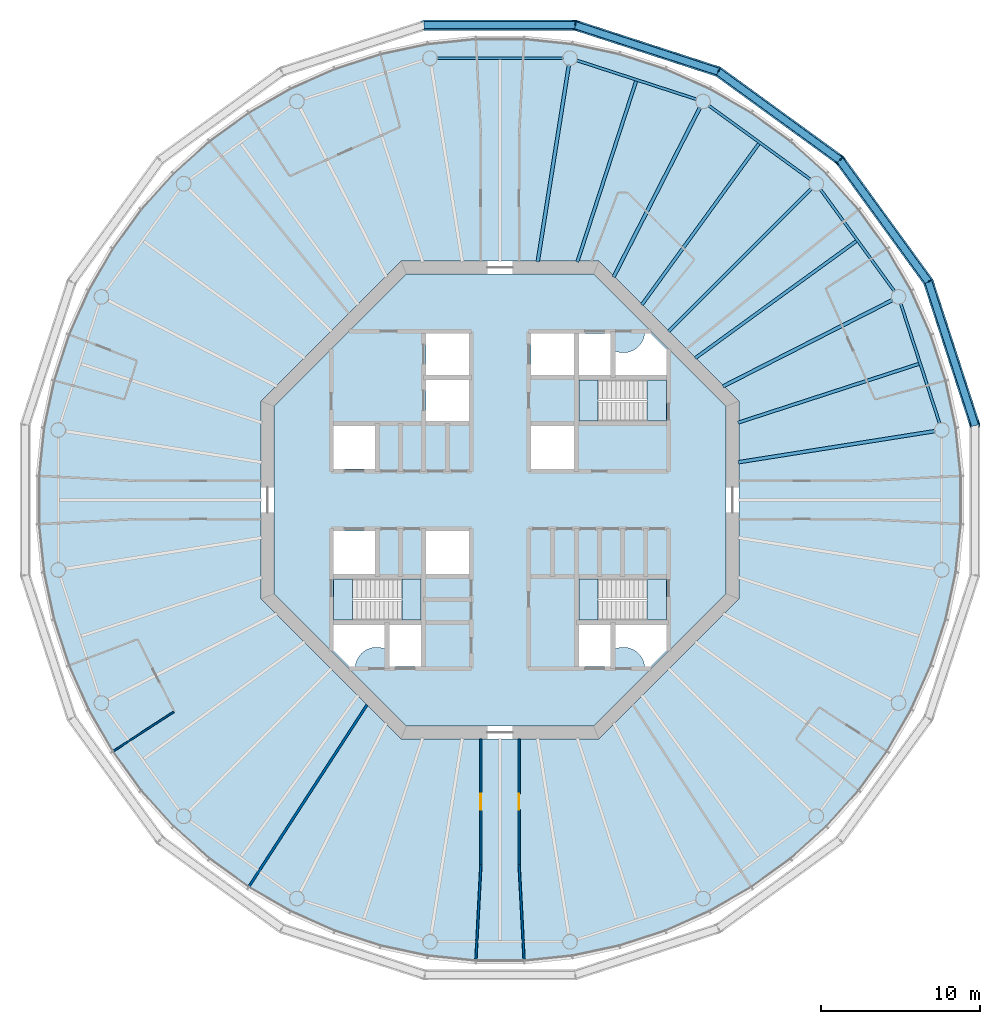
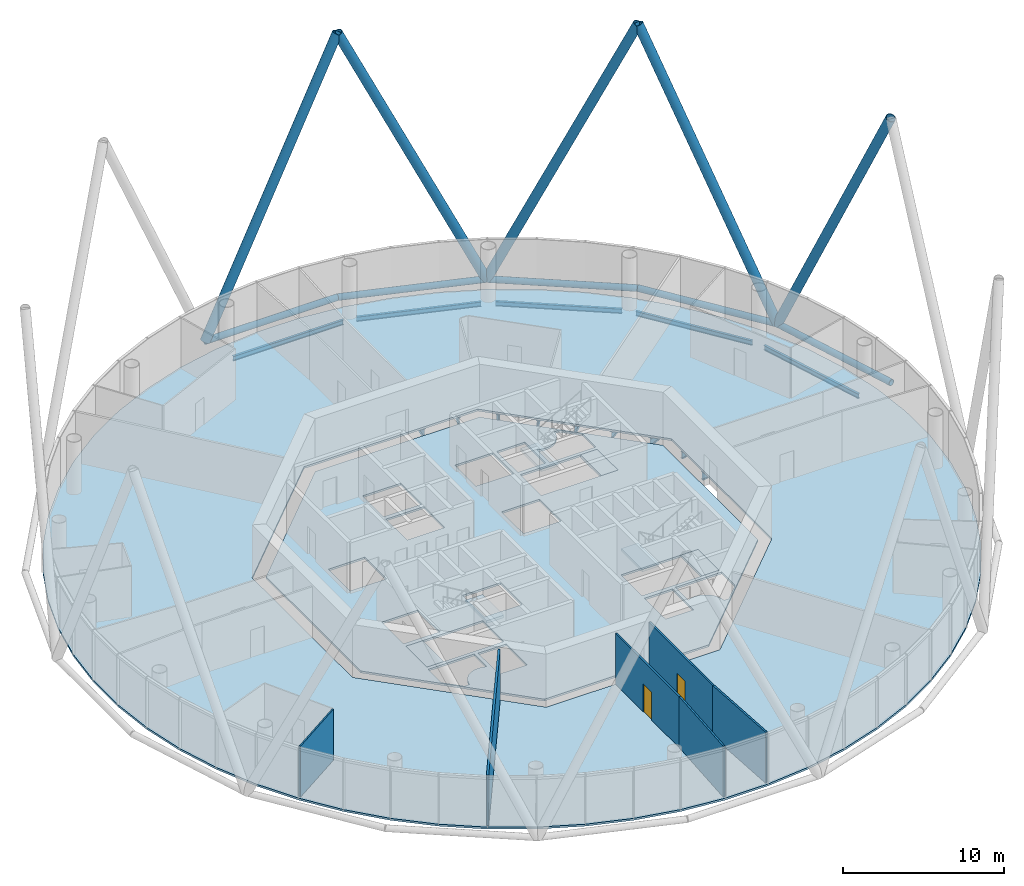
# One storey, part 2 of 13: 14 beams, 10 members, 8 slabs, 6 walls, 2 doors, 2 openings, 3 elements without a shape of their own.
"""IFC4 building model written with IfcOpenShell, lengths in metres."""

from ifc_helpers import new_model, si_unit, direction, frame, frame_2d, origin, origin_2d, place, context, subcontext, project, spatial, polyline, rectangle, circle, hollow_circle, i_section, outline, extrude, material, layer, layer_set, material_profile, profile_set, type_object, element, fill, aggregate, save


model = new_model("IFC4")

# Units and contexts
model_context = context("Model", 3, precision=1e-05, world=origin(), true_north=direction((0.0, 1.0)))
body_context = subcontext(model_context, "Body", "Model", "MODEL_VIEW")
ifc_project = project(units=[si_unit("LENGTHUNIT", "METRE"), si_unit("AREAUNIT", "SQUARE_METRE"), si_unit("VOLUMEUNIT", "CUBIC_METRE"), si_unit("PLANEANGLEUNIT", "RADIAN"), si_unit("MASSUNIT", "GRAM", prefix="KILO")], contexts=[model_context])

# Site, building, storey
site_placement = place(None, origin())
site = spatial("IfcSite", under=ifc_project, at=site_placement, CompositionType="ELEMENT")
building_placement = place(site_placement, origin())
building = spatial("IfcBuilding", under=site, at=building_placement, Name="Entoto Ring Tower", CompositionType="ELEMENT")
storey_placement = place(building_placement, frame((0.0, 0.0, 310.0)))
storey = spatial("IfcBuildingStorey", under=building, at=storey_placement, Name="L71", CompositionType="ELEMENT", Elevation=310.0)

# Members
ifc_material_1 = material(Name="Steel S355", Category="steel")
ifc_material_profile_1 = material_profile(ifc_material_1, hollow_circle(Radius=0.324951171875, WallThickness=0.031982421875, at=origin_2d()), Name="CHS 650 x 32")
ifc_material_2 = material(Name="Concrete C60/75", Category="concrete")
ifc_material_profile_2 = material_profile(ifc_material_2, circle(Radius=0.29296875, at=origin_2d()), Name="Concrete C60/75 infill")
ifc_profile_set_1 = profile_set([ifc_material_profile_1, ifc_material_profile_2], Name="Steel S355")
member_type_1 = type_object("IfcMemberType", Name="Diagrid diagonal 650 x 32 concrete-filled tube", PredefinedType="BRACE", material=ifc_profile_set_1)
for number, where, z_axis, x_axis, name in (
    (1, (116.908447265625, 93.71044921875, 0.0), (0.131995385813, -0.406250870943, 0.904177774545), (0.951058940693, 0.309009532745, 0.0), "DG6 module 24 01"),
    (2, (116.908447265625, 93.71044921875, 0.0), (-0.2510759177, 0.345588098254, 0.904173517582), (-0.809026493198, -0.587772178061, 0.0), "DG6 module 24 02"),
    (3, (103.71044921875, 106.908447265625, 0.0), (0.345588098254, -0.2510759177, 0.904173517582), (0.587772178061, 0.809026493198, 0.0), "DG6 module 24 03"),
    (4, (103.71044921875, 106.908447265625, 0.0), (-0.406250870943, 0.131995385813, 0.904177774545), (-0.309009532745, -0.951058940693, 0.0), "DG6 module 24 04"),
    (5, (85.275634765625, 109.828125, 0.0), (0.427164734279, 0.0, 0.904173816137), (0.0, 1.0, 0.0), "DG6 module 24 05"),
):
    element("IfcMember", number, at=place(storey_placement, frame(where, z_axis=z_axis, x_axis=x_axis)), inside=storey, type_object=member_type_1, Name=name, PredefinedType="BRACE", context=body_context, shape_type="SweptSolid", body=[
        extrude(hollow_circle(Radius=0.324951171875, WallThickness=0.031982421875, at=origin_2d()), origin(), (0.0, 0.0, 1.0), 22.11962890625),
    ])
ifc_material_3 = material(Name="Steel S355", Category="steel")
ifc_material_profile_3 = material_profile(ifc_material_3, hollow_circle(Radius=0.228515625, WallThickness=0.02001953125, at=origin_2d()), Name="CHS 457 x 20")
ifc_material_4 = material(Name="Concrete C60/75", Category="concrete")
ifc_material_profile_4 = material_profile(ifc_material_4, circle(Radius=0.20849609375, at=origin_2d()), Name="Concrete C60/75 infill")
ifc_profile_set_2 = profile_set([ifc_material_profile_3, ifc_material_profile_4], Name="Steel S355")
member_type_2 = type_object("IfcMemberType", Name="Diagrid ring beam 457 x 20", PredefinedType="CHORD", material=ifc_profile_set_2)
for number, where, z_axis, x_axis, name in (
    (6, (116.94140625, 93.6650390625, 0.0), (-0.587784468219, 0.809017564037, 0.0), (-0.809017564037, -0.587784468219, 0.0), "DR3 ring 23 01"),
    (7, (111.400146484375, 101.321533203125, 0.0), (-0.809017564037, 0.587784468219, 0.0), (-0.587784468219, -0.809017564037, 0.0), "DR3 ring 23 02"),
    (8, (103.763916015625, 106.89111328125, 0.0), (-0.951061274764, 0.309002348931, 0.0), (-0.309002348931, -0.951061274764, 0.0), "DR3 ring 23 03"),
    (9, (94.780517578125, 109.828125, 0.0), (-1.0, 0.0, 0.0), (0.0, -1.0, 0.0), "DR3 ring 23 04"),
    (10, (119.845458984375, 84.6708984375, 0.0), (-0.309002348931, 0.951061274764, 0.0), (-0.951061274764, -0.309002348931, 0.0), "DR3 ring 23 20"),
):
    element("IfcMember", number, at=place(storey_placement, frame(where, z_axis=z_axis, x_axis=x_axis)), inside=storey, type_object=member_type_2, Name=name, PredefinedType="CHORD", context=body_context, shape_type="SweptSolid", body=[
        extrude(hollow_circle(Radius=0.228515625, WallThickness=0.02001953125, at=origin_2d()), origin(), (0.0, 0.0, 1.0), 9.56103515625),
    ])

# Beams
ifc_material_5 = material(Name="Steel S355", Category="steel")
ifc_material_profile_5 = material_profile(ifc_material_5, i_section(OverallWidth=0.169921875, OverallDepth=0.360107421875, WebThickness=0.008056640625, FlangeThickness=0.0126953125, FilletRadius=0.01806640625, at=origin_2d()), Name="IPE 360")
ifc_profile_set_3 = profile_set([ifc_material_profile_5], Name="Steel S355")
beam_type_1 = type_object("IfcBeamType", Name="Edge beam IPE 360", PredefinedType="SPANDREL", material=ifc_profile_set_3)
beam_1_placement = place(storey_placement, frame((117.61572265625, 84.8212890625, -0.330078125), z_axis=(-0.309002883506, 0.951061101079, 0.0), x_axis=(-0.951061101079, -0.309002883506, 0.0)))
element("IfcBeam", 11, at=beam_1_placement, inside=storey, type_object=beam_type_1, Name="Edge beam L71 01", PredefinedType="SPANDREL", context=body_context, shape_type="SweptSolid", body=[
    extrude(i_section(OverallWidth=0.169921875, OverallDepth=0.360107421875, WebThickness=0.008056640625, FlangeThickness=0.0126953125, FilletRadius=0.01806640625, at=origin_2d()), origin(), (0.0, 0.0, 1.0), 7.89697265625),
])
for number, where, z_axis, x_axis, name in (
    (12, (114.7744140625, 93.118896484375, -0.330078125), (-0.587787449408, 0.809015398073, 0.0), (-0.809015398073, -0.587787449408, 0.0), "Edge beam L71 02"),
    (13, (109.5078125, 100.132568359375, -0.330078125), (-0.809015398073, 0.587787449408, 0.0), (-0.587787449408, -0.809015398073, 0.0), "Edge beam L71 03"),
):
    element("IfcBeam", number, at=place(storey_placement, frame(where, z_axis=z_axis, x_axis=x_axis)), inside=storey, type_object=beam_type_1, Name=name, PredefinedType="SPANDREL", context=body_context, shape_type="SweptSolid", body=[
        extrude(i_section(OverallWidth=0.169921875, OverallDepth=0.360107421875, WebThickness=0.008056640625, FlangeThickness=0.0126953125, FilletRadius=0.01806640625, at=origin_2d()), origin(), (0.0, 0.0, 1.0), 7.897216796875),
    ])
for number, where, z_axis, x_axis, name in (
    (14, (102.331787109375, 105.175537109375, -0.330078125), (-0.951061101079, 0.309002883506, 0.0), (-0.309002883506, -0.951061101079, 0.0), "Edge beam L71 04"),
    (15, (93.948486328125, 107.754150390625, -0.330078125), (-1.0, 0.0, 0.0), (0.0, -1.0, 0.0), "Edge beam L71 05"),
):
    element("IfcBeam", number, at=place(storey_placement, frame(where, z_axis=z_axis, x_axis=x_axis)), inside=storey, type_object=beam_type_1, Name=name, PredefinedType="SPANDREL", context=body_context, shape_type="SweptSolid", body=[
        extrude(i_section(OverallWidth=0.169921875, OverallDepth=0.360107421875, WebThickness=0.008056640625, FlangeThickness=0.0126953125, FilletRadius=0.01806640625, at=origin_2d()), origin(), (0.0, 0.0, 1.0), 7.89697265625),
    ])
ifc_material_6 = material(Name="Steel S355", Category="steel")
ifc_material_profile_6 = material_profile(ifc_material_6, i_section(OverallWidth=0.219970703125, OverallDepth=0.60009765625, WebThickness=0.011962890625, FlangeThickness=0.01904296875, FilletRadius=0.02392578125, at=origin_2d()), Name="IPE 600")
ifc_profile_set_4 = profile_set([ifc_material_profile_6], Name="Steel S355")
beam_type_2 = type_object("IfcBeamType", Name="Primary floor beam IPE 600", PredefinedType="BEAM", material=ifc_profile_set_4)
beam_2_placement = place(storey_placement, frame((104.963134765625, 82.369873046875, -0.449951171875), z_axis=(0.987687519796, 0.156439647277, 0.0), x_axis=(-0.156439647277, 0.987687519796, 0.0)))
element("IfcBeam", 16, at=beam_2_placement, inside=storey, type_object=beam_type_2, Name="Primary L71 R01", PredefinedType="BEAM", context=body_context, shape_type="SweptSolid", body=[
    extrude(i_section(OverallWidth=0.219970703125, OverallDepth=0.60009765625, WebThickness=0.011962890625, FlangeThickness=0.01904296875, FilletRadius=0.02392578125, at=origin_2d()), origin(), (0.0, 0.0, 1.0), 12.50830078125),
])
beam_3_placement = place(storey_placement, frame((104.003173828125, 87.135009765625, -0.449951171875), z_axis=(0.891007666593, 0.453988257638, 0.0), x_axis=(-0.453988257638, 0.891007666593, 0.0)))
element("IfcBeam", 17, at=beam_3_placement, inside=storey, type_object=beam_type_2, Name="Primary L71 R02", PredefinedType="BEAM", context=body_context, shape_type="SweptSolid", body=[
    extrude(i_section(OverallWidth=0.219970703125, OverallDepth=0.60009765625, WebThickness=0.011962890625, FlangeThickness=0.01904296875, FilletRadius=0.02392578125, at=origin_2d()), origin(), (0.0, 0.0, 1.0), 11.941650390625),
])
beam_4_placement = place(storey_placement, frame((100.592529296875, 90.592529296875, -0.449951171875), z_axis=(0.707106781187, 0.707106781187, 0.0), x_axis=(-0.707106781187, 0.707106781187, 0.0)))
element("IfcBeam", 18, at=beam_4_placement, inside=storey, type_object=beam_type_2, Name="Primary L71 R03", PredefinedType="BEAM", context=body_context, shape_type="SweptSolid", body=[
    extrude(i_section(OverallWidth=0.219970703125, OverallDepth=0.60009765625, WebThickness=0.011962890625, FlangeThickness=0.01904296875, FilletRadius=0.02392578125, at=origin_2d()), origin(), (0.0, 0.0, 1.0), 12.677978515625),
])
beam_5_placement = place(storey_placement, frame((97.135009765625, 94.003173828125, -0.449951171875), z_axis=(0.453988257638, 0.891007666593, 0.0), x_axis=(-0.891007666593, 0.453988257638, 0.0)))
element("IfcBeam", 19, at=beam_5_placement, inside=storey, type_object=beam_type_2, Name="Primary L71 R04", PredefinedType="BEAM", context=body_context, shape_type="SweptSolid", body=[
    extrude(i_section(OverallWidth=0.219970703125, OverallDepth=0.60009765625, WebThickness=0.011962890625, FlangeThickness=0.01904296875, FilletRadius=0.02392578125, at=origin_2d()), origin(), (0.0, 0.0, 1.0), 11.941650390625),
])
beam_6_placement = place(storey_placement, frame((92.369873046875, 94.963134765625, -0.449951171875), z_axis=(0.156439647277, 0.987687519796, 0.0), x_axis=(-0.987687519796, 0.156439647277, 0.0)))
element("IfcBeam", 20, at=beam_6_placement, inside=storey, type_object=beam_type_2, Name="Primary L71 R05", PredefinedType="BEAM", context=body_context, shape_type="SweptSolid", body=[
    extrude(i_section(OverallWidth=0.219970703125, OverallDepth=0.60009765625, WebThickness=0.011962890625, FlangeThickness=0.01904296875, FilletRadius=0.02392578125, at=origin_2d()), origin(), (0.0, 0.0, 1.0), 12.50830078125),
])
ifc_material_7 = material(Name="Steel S355", Category="steel")
ifc_material_profile_7 = material_profile(ifc_material_7, i_section(OverallWidth=0.199951171875, OverallDepth=0.5, WebThickness=0.01025390625, FlangeThickness=0.01611328125, FilletRadius=0.02099609375, at=origin_2d()), Name="IPE 500")
ifc_profile_set_5 = profile_set([ifc_material_profile_7], Name="Steel S355")
beam_type_3 = type_object("IfcBeamType", Name="Secondary floor beam IPE 500", PredefinedType="JOIST", material=ifc_profile_set_5)
beam_7_placement = place(storey_placement, frame((104.9501953125, 84.857666015625, -0.39990234375), z_axis=(0.951056587506, 0.30901677521, 0.0), x_axis=(-0.30901677521, 0.951056587506, 0.0)))
element("IfcBeam", 21, at=beam_7_placement, inside=storey, type_object=beam_type_3, Name="Secondary beam L71 01", PredefinedType="JOIST", context=body_context, shape_type="SweptSolid", body=[
    extrude(i_section(OverallWidth=0.199951171875, OverallDepth=0.5, WebThickness=0.01025390625, FlangeThickness=0.01611328125, FilletRadius=0.02099609375, at=origin_2d()), origin(), (0.0, 0.0, 1.0), 11.94970703125),
])
for number, where, z_axis, x_axis, name in (
    (22, (102.257568359375, 88.905517578125, -0.39990234375), (0.80901431041, 0.587788946436, 0.0), (-0.587788946436, 0.80901431041, 0.0), "Secondary beam L71 02"),
    (23, (98.905517578125, 92.257568359375, -0.39990234375), (0.587788946436, 0.80901431041, 0.0), (-0.80901431041, 0.587788946436, 0.0), "Secondary beam L71 03"),
):
    element("IfcBeam", number, at=place(storey_placement, frame(where, z_axis=z_axis, x_axis=x_axis)), inside=storey, type_object=beam_type_3, Name=name, PredefinedType="JOIST", context=body_context, shape_type="SweptSolid", body=[
        extrude(i_section(OverallWidth=0.199951171875, OverallDepth=0.5, WebThickness=0.01025390625, FlangeThickness=0.01611328125, FilletRadius=0.02099609375, at=origin_2d()), origin(), (0.0, 0.0, 1.0), 12.51806640625),
    ])
beam_8_placement = place(storey_placement, frame((94.857666015625, 94.9501953125, -0.39990234375), z_axis=(0.30901677521, 0.951056587506, 0.0), x_axis=(-0.951056587506, 0.30901677521, 0.0)))
element("IfcBeam", 24, at=beam_8_placement, inside=storey, type_object=beam_type_3, Name="Secondary beam L71 04", PredefinedType="JOIST", context=body_context, shape_type="SweptSolid", body=[
    extrude(i_section(OverallWidth=0.199951171875, OverallDepth=0.5, WebThickness=0.01025390625, FlangeThickness=0.01611328125, FilletRadius=0.02099609375, at=origin_2d()), origin(), (0.0, 0.0, 1.0), 11.94970703125),
])

# Slabs
ifc_material_8 = material(Name="Concrete C30/37", Category="concrete")
ifc_layer_1 = layer(ifc_material_8, 0.14990234375)
ifc_layer_set_1 = layer_set([ifc_layer_1], Name="Concrete C30/37")
slab_type_1 = type_object("IfcSlabType", Name="Composite floor slab 150 mm", PredefinedType="FLOOR", material=ifc_layer_set_1)
slab_1_placement = place(storey_placement, frame((0.0, 0.0, -0.14990234375)))
element("IfcSlab", 25, at=slab_1_placement, inside=storey, type_object=slab_type_1, Name="Floor slab L71", PredefinedType="FLOOR", context=body_context, shape_type="SweptSolid", body=[
    extrude(outline(polyline([(118.74169921875, 84.55224609375), (118.1083984375, 87.53173828125), (117.167236328125, 90.428466796875), (115.92822265625, 93.211181640625), (114.4052734375, 95.848876953125), (112.614990234375, 98.313232421875), (110.576904296875, 100.576904296875), (108.313232421875, 102.614990234375), (105.848876953125, 104.4052734375), (103.211181640625, 105.92822265625), (100.428466796875, 107.167236328125), (97.53173828125, 108.1083984375), (94.55224609375, 108.74169921875), (91.52294921875, 109.06005859375), (88.47705078125, 109.06005859375), (85.44775390625, 108.74169921875), (82.46826171875, 108.1083984375), (79.571533203125, 107.167236328125), (76.788818359375, 105.92822265625), (74.151123046875, 104.4052734375), (71.686767578125, 102.614990234375), (69.423095703125, 100.576904296875), (67.385009765625, 98.313232421875), (65.5947265625, 95.848876953125), (64.07177734375, 93.211181640625), (62.832763671875, 90.428466796875), (61.8916015625, 87.53173828125), (61.25830078125, 84.55224609375), (60.93994140625, 81.52294921875), (60.93994140625, 78.47705078125), (61.25830078125, 75.44775390625), (61.8916015625, 72.46826171875), (62.832763671875, 69.571533203125), (64.07177734375, 66.788818359375), (65.5947265625, 64.151123046875), (67.385009765625, 61.686767578125), (69.423095703125, 59.423095703125), (71.686767578125, 57.385009765625), (74.151123046875, 55.5947265625), (76.788818359375, 54.07177734375), (79.571533203125, 52.832763671875), (82.46826171875, 51.8916015625), (85.44775390625, 51.25830078125), (88.47705078125, 50.93994140625), (91.52294921875, 50.93994140625), (94.55224609375, 51.25830078125), (97.53173828125, 51.8916015625), (100.428466796875, 52.832763671875), (103.211181640625, 54.07177734375), (105.848876953125, 55.5947265625), (108.313232421875, 57.385009765625), (110.576904296875, 59.423095703125), (112.614990234375, 61.686767578125), (114.4052734375, 64.151123046875), (115.92822265625, 66.788818359375), (117.167236328125, 69.571533203125), (118.1083984375, 72.46826171875), (118.74169921875, 75.44775390625), (119.06005859375, 78.47705078125), (119.06005859375, 81.52294921875), (118.74169921875, 84.55224609375)]), holes=[polyline([(105.0, 73.786865234375), (105.0, 86.213134765625), (96.213134765625, 95.0), (83.786865234375, 95.0), (75.0, 86.213134765625), (75.0, 73.786865234375), (83.786865234375, 65.0), (96.213134765625, 65.0), (105.0, 73.786865234375)])]), origin(), (0.0, 0.0, 1.0), 0.14990234375),
])
ifc_material_9 = material(Name="Concrete C40/50", Category="concrete")
ifc_layer_2 = layer(ifc_material_9, 0.14990234375)
ifc_layer_set_2 = layer_set([ifc_layer_2], Name="Concrete C40/50")
slab_type_2 = type_object("IfcSlabType", Name="Core floor slab 150 mm reinforced concrete C40/50", PredefinedType="FLOOR", material=ifc_layer_set_2)
slab_2_placement = place(storey_placement, frame((0.0, 0.0, -0.14990234375)))
element("IfcSlab", 26, at=slab_2_placement, inside=storey, type_object=slab_type_2, Name="Core floor L71", PredefinedType="FLOOR", context=body_context, shape_type="SweptSolid", body=[
    extrude(outline(polyline([(104.199951171875, 74.1181640625), (104.199951171875, 85.8818359375), (95.8818359375, 94.199951171875), (84.1181640625, 94.199951171875), (75.800048828125, 85.8818359375), (75.800048828125, 74.1181640625), (84.1181640625, 65.800048828125), (95.8818359375, 65.800048828125), (104.199951171875, 74.1181640625)]), holes=[polyline([(100.449951171875, 84.949951171875), (100.449951171875, 87.550048828125), (94.949951171875, 87.550048828125), (94.949951171875, 84.949951171875), (100.449951171875, 84.949951171875)]), polyline([(85.050048828125, 72.449951171875), (85.050048828125, 75.050048828125), (79.550048828125, 75.050048828125), (79.550048828125, 72.449951171875), (85.050048828125, 72.449951171875)]), polyline([(100.449951171875, 72.449951171875), (100.449951171875, 75.050048828125), (94.949951171875, 75.050048828125), (94.949951171875, 72.449951171875), (100.449951171875, 72.449951171875)]), polyline([(94.949951171875, 90.449951171875), (94.949951171875, 87.85009765625), (96.949951171875, 87.85009765625), (96.949951171875, 90.449951171875), (94.949951171875, 90.449951171875)]), polyline([(94.949951171875, 72.14990234375), (94.949951171875, 69.550048828125), (96.949951171875, 69.550048828125), (96.949951171875, 72.14990234375), (94.949951171875, 72.14990234375)]), polyline([(83.050048828125, 72.14990234375), (83.050048828125, 69.550048828125), (85.050048828125, 69.550048828125), (85.050048828125, 72.14990234375), (83.050048828125, 72.14990234375)]), polyline([(79.550048828125, 81.949951171875), (82.14990234375, 81.949951171875), (82.14990234375, 84.64990234375), (79.550048828125, 84.64990234375), (79.550048828125, 81.949951171875)]), polyline([(79.550048828125, 75.35009765625), (82.14990234375, 75.35009765625), (82.14990234375, 78.050048828125), (79.550048828125, 78.050048828125), (79.550048828125, 75.35009765625)]), polyline([(91.949951171875, 87.85009765625), (94.64990234375, 87.85009765625), (94.64990234375, 90.449951171875), (91.949951171875, 90.449951171875), (91.949951171875, 87.85009765625)]), polyline([(91.949951171875, 81.949951171875), (94.64990234375, 81.949951171875), (94.64990234375, 84.64990234375), (91.949951171875, 84.64990234375), (91.949951171875, 81.949951171875)]), polyline([(85.35009765625, 75.35009765625), (88.050048828125, 75.35009765625), (88.050048828125, 78.050048828125), (85.35009765625, 78.050048828125), (85.35009765625, 75.35009765625)]), polyline([(85.35009765625, 84.949951171875), (88.050048828125, 84.949951171875), (88.050048828125, 87.550048828125), (85.35009765625, 87.550048828125), (85.35009765625, 84.949951171875)]), polyline([(85.35009765625, 87.85009765625), (88.050048828125, 87.85009765625), (88.050048828125, 90.449951171875), (85.35009765625, 90.449951171875), (85.35009765625, 87.85009765625)]), polyline([(97.199951171875, 89.368408203125), (97.199951171875, 87.800048828125), (100.5, 87.800048828125), (100.5, 89.4404296875), (99.4404296875, 90.5), (99.09521484375, 90.5), (99.093505859375, 90.4677734375), (99.07421875, 90.336669921875), (99.0419921875, 90.2080078125), (98.997314453125, 90.08349609375), (98.940673828125, 89.963623046875), (98.87255859375, 89.85009765625), (98.793701171875, 89.74365234375), (98.70458984375, 89.6455078125), (98.6064453125, 89.556396484375), (98.5, 89.4775390625), (98.386474609375, 89.409423828125), (98.2666015625, 89.352783203125), (98.141845703125, 89.30810546875), (98.013427734375, 89.27587890625), (97.88232421875, 89.256591796875), (97.75, 89.25), (97.61767578125, 89.256591796875), (97.486572265625, 89.27587890625), (97.358154296875, 89.30810546875), (97.2333984375, 89.352783203125), (97.199951171875, 89.368408203125)]), polyline([(80.5595703125, 69.5), (80.90478515625, 69.5), (80.906494140625, 69.5322265625), (80.92578125, 69.663330078125), (80.9580078125, 69.7919921875), (81.002685546875, 69.91650390625), (81.059326171875, 70.036376953125), (81.12744140625, 70.14990234375), (81.206298828125, 70.25634765625), (81.29541015625, 70.3544921875), (81.3935546875, 70.443603515625), (81.5, 70.5224609375), (81.613525390625, 70.590576171875), (81.7333984375, 70.647216796875), (81.858154296875, 70.69189453125), (81.986572265625, 70.72412109375), (82.11767578125, 70.743408203125), (82.25, 70.75), (82.38232421875, 70.743408203125), (82.513427734375, 70.72412109375), (82.641845703125, 70.69189453125), (82.7666015625, 70.647216796875), (82.800048828125, 70.631591796875), (82.800048828125, 72.199951171875), (79.5, 72.199951171875), (79.5, 70.5595703125), (80.5595703125, 69.5)]), polyline([(99.09521484375, 69.5), (99.4404296875, 69.5), (100.5, 70.5595703125), (100.5, 72.199951171875), (97.199951171875, 72.199951171875), (97.199951171875, 70.631591796875), (97.2333984375, 70.647216796875), (97.358154296875, 70.69189453125), (97.486572265625, 70.72412109375), (97.61767578125, 70.743408203125), (97.75, 70.75), (97.88232421875, 70.743408203125), (98.013427734375, 70.72412109375), (98.141845703125, 70.69189453125), (98.2666015625, 70.647216796875), (98.386474609375, 70.590576171875), (98.5, 70.5224609375), (98.6064453125, 70.443603515625), (98.70458984375, 70.3544921875), (98.793701171875, 70.25634765625), (98.87255859375, 70.14990234375), (98.940673828125, 70.036376953125), (98.997314453125, 69.91650390625), (99.0419921875, 69.7919921875), (99.07421875, 69.663330078125), (99.093505859375, 69.5322265625), (99.09521484375, 69.5)])]), origin(), (0.0, 0.0, 1.0), 0.14990234375),
])

# Stair, slabs
ifc_material_10 = material(Name="Concrete C40/50", Category="concrete")
stair_type = type_object("IfcStairType", Name="Exit stair 1200 mm dog-leg reinforced concrete", PredefinedType="HALF_TURN_STAIR", material=ifc_material_10)
stair_1_placement = place(storey_placement, origin())
stair_1 = element("IfcStair", 27, at=stair_1_placement, inside=storey, type_object=stair_type, Name="Exit stair 1", PredefinedType="HALF_TURN_STAIR")
ifc_material_11 = material(Name="Concrete C40/50", Category="concrete")
ifc_layer_3 = layer(ifc_material_11, 0.199951171875)
ifc_layer_set_3 = layer_set([ifc_layer_3], Name="Concrete C40/50")
slab_type_3 = type_object("IfcSlabType", Name="Stair landing 200 mm reinforced concrete", PredefinedType="LANDING", material=ifc_layer_set_3)
slab_3_placement = place(storey_placement, frame((0.0, 0.0, -0.199951171875)))
slab_3 = element("IfcSlab", 28, at=slab_3_placement, type_object=slab_type_3, Name="ST1 landing 1", PredefinedType="LANDING", context=body_context, shape_type="SweptSolid", body=[
    extrude(outline(polyline([(100.449951171875, 84.949951171875), (100.449951171875, 87.550048828125), (99.25, 87.550048828125), (99.25, 84.949951171875), (100.449951171875, 84.949951171875)])), origin(), (0.0, 0.0, 1.0), 0.199951171875),
])
slab_4_placement = place(storey_placement, frame((0.0, 0.0, 1.800048828125)))
slab_4 = element("IfcSlab", 29, at=slab_4_placement, type_object=slab_type_3, Name="ST1 landing 2", PredefinedType="LANDING", context=body_context, shape_type="SweptSolid", body=[
    extrude(outline(polyline([(94.949951171875, 84.949951171875), (96.169921875, 84.949951171875), (96.169921875, 87.550048828125), (94.949951171875, 87.550048828125), (94.949951171875, 84.949951171875)])), origin(), (0.0, 0.0, 1.0), 0.199951171875),
])
aggregate(stair_1, [slab_3, slab_4])

stair_2_placement = place(storey_placement, origin())
stair_2 = element("IfcStair", 30, at=stair_2_placement, inside=storey, type_object=stair_type, Name="Exit stair 2", PredefinedType="HALF_TURN_STAIR")
slab_5_placement = place(storey_placement, frame((0.0, 0.0, -0.199951171875)))
slab_5 = element("IfcSlab", 31, at=slab_5_placement, type_object=slab_type_3, Name="ST2 landing 1", PredefinedType="LANDING", context=body_context, shape_type="SweptSolid", body=[
    extrude(outline(polyline([(80.75, 72.449951171875), (80.75, 75.050048828125), (79.550048828125, 75.050048828125), (79.550048828125, 72.449951171875), (80.75, 72.449951171875)])), origin(), (0.0, 0.0, 1.0), 0.199951171875),
])
slab_6_placement = place(storey_placement, frame((0.0, 0.0, 1.800048828125)))
slab_6 = element("IfcSlab", 32, at=slab_6_placement, type_object=slab_type_3, Name="ST2 landing 2", PredefinedType="LANDING", context=body_context, shape_type="SweptSolid", body=[
    extrude(outline(polyline([(83.830078125, 72.449951171875), (85.050048828125, 72.449951171875), (85.050048828125, 75.050048828125), (83.830078125, 75.050048828125), (83.830078125, 72.449951171875)])), origin(), (0.0, 0.0, 1.0), 0.199951171875),
])
aggregate(stair_2, [slab_5, slab_6])

stair_3_placement = place(storey_placement, origin())
stair_3 = element("IfcStair", 33, at=stair_3_placement, inside=storey, type_object=stair_type, Name="Exit stair 3", PredefinedType="HALF_TURN_STAIR")
slab_7_placement = place(storey_placement, frame((0.0, 0.0, -0.199951171875)))
slab_7 = element("IfcSlab", 34, at=slab_7_placement, type_object=slab_type_3, Name="ST3 landing 1", PredefinedType="LANDING", context=body_context, shape_type="SweptSolid", body=[
    extrude(outline(polyline([(100.449951171875, 72.449951171875), (100.449951171875, 75.050048828125), (99.25, 75.050048828125), (99.25, 72.449951171875), (100.449951171875, 72.449951171875)])), origin(), (0.0, 0.0, 1.0), 0.199951171875),
])
slab_8_placement = place(storey_placement, frame((0.0, 0.0, 1.800048828125)))
slab_8 = element("IfcSlab", 35, at=slab_8_placement, type_object=slab_type_3, Name="ST3 landing 2", PredefinedType="LANDING", context=body_context, shape_type="SweptSolid", body=[
    extrude(outline(polyline([(94.949951171875, 72.449951171875), (96.169921875, 72.449951171875), (96.169921875, 75.050048828125), (94.949951171875, 75.050048828125), (94.949951171875, 72.449951171875)])), origin(), (0.0, 0.0, 1.0), 0.199951171875),
])
aggregate(stair_3, [slab_7, slab_8])

# Wall, opening, door
ifc_material_12 = material(Name="Fire-resisting plasterboard on steel studs", Category="steel")
ifc_layer_4 = layer(ifc_material_12, 0.125)
ifc_layer_set_4 = layer_set([ifc_layer_4], Name="Fire-resisting plasterboard on steel studs")
wall_type_1 = type_object("IfcWallType", Name="Corridor wall 125 mm one-hour plasterboard on steel studs", PredefinedType="PARTITIONING", material=ifc_layer_set_4)
wall_1_placement = place(storey_placement, frame((88.800048828125, 57.1025390625, 0.0), z_axis=(0.0, 0.0, 1.0), x_axis=(0.0, 1.0, 0.0)))
wall_1 = element("IfcWall", 36, at=wall_1_placement, inside=storey, type_object=wall_type_1, Name="partition-L71-003", PredefinedType="PARTITIONING", context=body_context, shape_type="SweptSolid", body=[
    extrude(rectangle(XDim=7.8974609375, YDim=0.125, at=frame_2d((3.94873046875, 0.0))), origin(), (0.0, 0.0, 1.0), 3.85009765625),
])
opening_1_placement = place(wall_1_placement, frame((3.44873046875, 0.0, 0.0)))
opening_1 = element("IfcOpeningElement", 37, at=opening_1_placement, cuts=wall_1, Name="Opening A31-D11", PredefinedType="OPENING", context=body_context, shape_type="SweptSolid", body=[
    extrude(rectangle(XDim=1.0, YDim=2.10009765625, at=frame_2d((0.5, 1.050048828125))), frame((0.0, 0.072509765625, 0.0), z_axis=(0.0, -1.0, 0.0), x_axis=(1.0, 0.0, 0.0)), (0.0, 0.0, 1.0), 0.14501953125),
])
ifc_material_13 = material(Name="Fire-resisting timber door set", Category="wood")
door_type = type_object("IfcDoorType", Name="Door 1000 x 2100 single leaf FD30S fire door", OperationType="NOTDEFINED", PredefinedType="DOOR", material=ifc_material_13)
door_1_placement = place(opening_1_placement, origin())
door_1 = element("IfcDoor", 38, at=door_1_placement, inside=storey, type_object=door_type, Name="Door A31-D11", OperationType="SINGLE_SWING_RIGHT", OverallHeight=2.10009765625, OverallWidth=1.0, PredefinedType="DOOR", context=body_context, shape_type="SweptSolid", body=[
    extrude(rectangle(XDim=1.0, YDim=2.10009765625, at=frame_2d((0.5, 1.050048828125))), frame((0.0, 0.02490234375, 0.0), z_axis=(0.0, -1.0, 0.0), x_axis=(1.0, 0.0, 0.0)), (0.0, 0.0, 1.0), 0.050048828125),
])
fill(opening_1, door_1)

wall_2_placement = place(storey_placement, frame((91.199951171875, 57.1025390625, 0.0), z_axis=(0.0, 0.0, 1.0), x_axis=(0.0, 1.0, 0.0)))
wall_2 = element("IfcWall", 39, at=wall_2_placement, inside=storey, type_object=wall_type_1, Name="partition-L71-005", PredefinedType="PARTITIONING", context=body_context, shape_type="SweptSolid", body=[
    extrude(rectangle(XDim=7.8974609375, YDim=0.125, at=frame_2d((3.94873046875, 0.0))), origin(), (0.0, 0.0, 1.0), 3.85009765625),
])
opening_2_placement = place(wall_2_placement, frame((3.44873046875, 0.0, 0.0)))
opening_2 = element("IfcOpeningElement", 40, at=opening_2_placement, cuts=wall_2, Name="Opening A31-D12", PredefinedType="OPENING", context=body_context, shape_type="SweptSolid", body=[
    extrude(rectangle(XDim=1.0, YDim=2.10009765625, at=frame_2d((0.5, 1.050048828125))), frame((0.0, 0.072509765625, 0.0), z_axis=(0.0, -1.0, 0.0), x_axis=(1.0, 0.0, 0.0)), (0.0, 0.0, 1.0), 0.14501953125),
])
door_2_placement = place(opening_2_placement, frame((1.0, 0.0, 0.0), z_axis=(0.0, 0.0, 1.0), x_axis=(-1.0, 0.0, 0.0)))
door_2 = element("IfcDoor", 41, at=door_2_placement, inside=storey, type_object=door_type, Name="Door A31-D12", OperationType="SINGLE_SWING_LEFT", OverallHeight=2.10009765625, OverallWidth=1.0, PredefinedType="DOOR", context=body_context, shape_type="SweptSolid", body=[
    extrude(rectangle(XDim=1.0, YDim=2.10009765625, at=frame_2d((0.5, 1.050048828125))), frame((0.0, 0.02490234375, 0.0), z_axis=(0.0, -1.0, 0.0), x_axis=(1.0, 0.0, 0.0)), (0.0, 0.0, 1.0), 0.050048828125),
])
fill(opening_2, door_2)

# Walls
for number, where, z_axis, x_axis, name in (
    (42, (88.4853515625, 51.099609375, 0.0), (0.0, 0.0, 1.0), (0.052339150565, 0.998629367342, 0.0), "partition-L71-011"),
    (43, (91.5146484375, 51.099609375, 0.0), (0.0, 0.0, 1.0), (-0.052339150565, 0.998629367342, 0.0), "partition-L71-014"),
):
    element("IfcWall", number, at=place(storey_placement, frame(where, z_axis=z_axis, x_axis=x_axis)), inside=storey, type_object=wall_type_1, Name=name, PredefinedType="PARTITIONING", context=body_context, shape_type="SweptSolid", body=[
        extrude(rectangle(XDim=6.008056640625, YDim=0.125, at=frame_2d((3.00390625, 0.0))), origin(), (0.0, 0.0, 1.0), 3.85009765625),
    ])
ifc_material_14 = material(Name="Plasterboard on steel studs", Category="steel")
ifc_layer_5 = layer(ifc_material_14, 0.10009765625)
ifc_layer_set_5 = layer_set([ifc_layer_5], Name="Plasterboard on steel studs")
wall_type_2 = type_object("IfcWallType", Name="Partition 100 mm plasterboard on steel studs", PredefinedType="PARTITIONING", material=ifc_layer_set_5)
wall_3_placement = place(storey_placement, frame((65.72900390625, 64.238037109375, 0.0), z_axis=(0.0, 0.0, 1.0), x_axis=(0.838650544792, 0.544669866726, 0.0)))
element("IfcWall", 44, at=wall_3_placement, inside=storey, type_object=wall_type_2, Name="partition-L71-030", PredefinedType="PARTITIONING", context=body_context, shape_type="SweptSolid", body=[
    extrude(rectangle(XDim=4.500244140625, YDim=0.10009765625, at=frame_2d((2.25, 0.0))), origin(), (0.0, 0.0, 1.0), 3.85009765625),
])
ifc_material_15 = material(Name="Fire-resisting acoustic plasterboard on steel studs", Category="steel")
ifc_layer_6 = layer(ifc_material_15, 0.14990234375)
ifc_layer_set_6 = layer_set([ifc_layer_6], Name="Fire-resisting acoustic plasterboard on steel studs")
wall_type_3 = type_object("IfcWallType", Name="Party wall 150 mm one-hour acoustic plasterboard on steel studs", PredefinedType="PARTITIONING", material=ifc_layer_set_6)
wall_4_placement = place(storey_placement, frame((74.238037109375, 55.72900390625, 0.0), z_axis=(0.0, 0.0, 1.0), x_axis=(0.544650850813, 0.838662894558, 0.0)))
element("IfcWall", 45, at=wall_4_placement, inside=storey, type_object=wall_type_3, Name="partition-L71-019", PredefinedType="PARTITIONING", context=body_context, shape_type="SweptSolid", body=[
    extrude(rectangle(XDim=13.60498046875, YDim=0.14990234375, at=frame_2d((6.802490234375, 0.0))), origin(), (0.0, 0.0, 1.0), 3.85009765625),
])

save(model, "model.ifc")
